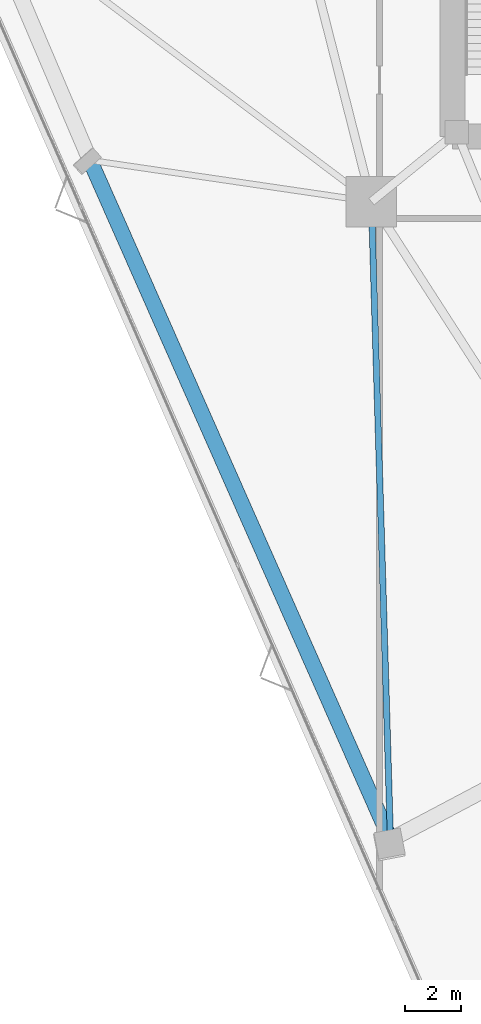
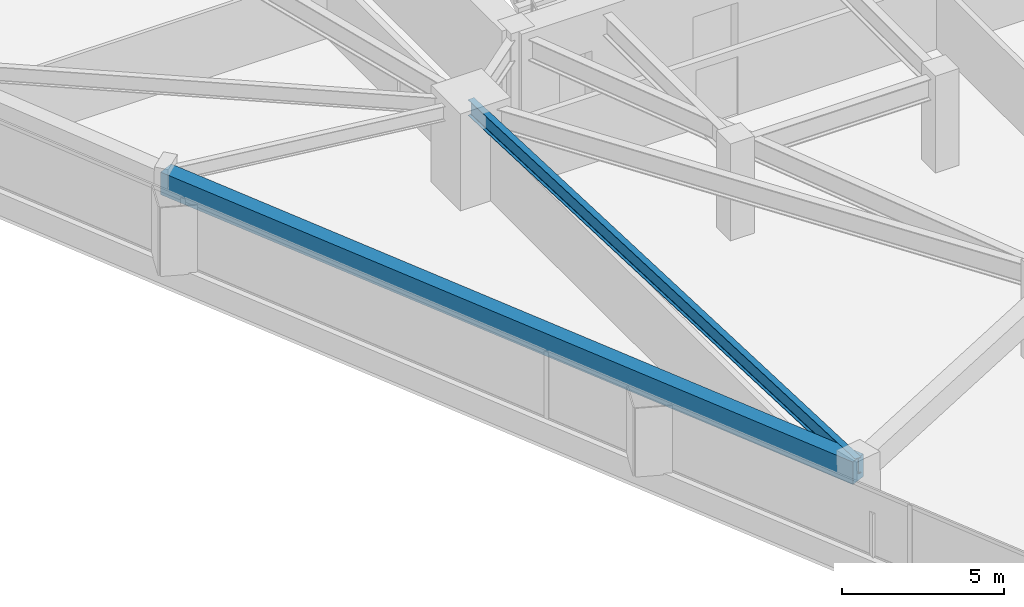
# One storey, part 3 of 21: 2 beams.
"""IFC4 building model written with IfcOpenShell, lengths in metres."""

from ifc_helpers import new_model, si_unit, direction, frame, origin, origin_2d, place, context, subcontext, project, spatial, rectangle, i_section, extrude, material, material_profile, profile_set, type_object, element, save


model = new_model("IFC4")

# Units and contexts
model_context = context("Model", 3, precision=1e-05, world=origin(), true_north=direction((0.0, 1.0)))
body_context = subcontext(model_context, "Body", "Model", "MODEL_VIEW")
ifc_project = project(units=[si_unit("LENGTHUNIT", "METRE"), si_unit("AREAUNIT", "SQUARE_METRE"), si_unit("VOLUMEUNIT", "CUBIC_METRE"), si_unit("PLANEANGLEUNIT", "RADIAN"), si_unit("MASSUNIT", "GRAM", prefix="KILO")], contexts=[model_context])

# Site, building, storey
site_placement = place(None, origin())
site = spatial("IfcSite", under=ifc_project, at=site_placement, CompositionType="ELEMENT")
building_placement = place(site_placement, origin())
building = spatial("IfcBuilding", under=site, at=building_placement, Name="Talyreon Biosciences Tower", CompositionType="ELEMENT")
storey_placement = place(building_placement, frame((0.0, 0.0, 55.64990234375)))
storey = spatial("IfcBuildingStorey", under=building, at=storey_placement, Name="L14", CompositionType="ELEMENT", Elevation=55.64990234375)

# Beams
ifc_material_1 = material(Name="Precast concrete C45/55", Category="concrete")
ifc_material_profile_1 = material_profile(ifc_material_1, rectangle(XDim=0.550048828125, YDim=0.85009765625, at=origin_2d()), Name="RCB 550x850")
ifc_profile_set_1 = profile_set([ifc_material_profile_1], Name="Precast concrete C45/55")
beam_type_1 = type_object("IfcBeamType", Name="ExpressedSpandrel_550x850", PredefinedType="SPANDREL", material=ifc_profile_set_1)
beam_1_placement = place(storey_placement, frame((44.890625, 60.35400390625, 2.9501953125), z_axis=(0.404429572455, -0.914569144966, 0.0), x_axis=(0.914569144966, 0.404429572455, 0.0)))
element("IfcBeam", 1, at=beam_1_placement, inside=storey, type_object=beam_type_1, Name="L14 Expressed Horizontal Concrete Spandrel 11", PredefinedType="SPANDREL", context=body_context, shape_type="SweptSolid", body=[
    extrude(rectangle(XDim=0.550048828125, YDim=0.85009765625, at=origin_2d()), origin(), (0.0, 0.0, 1.0), 26.455810546875),
])
ifc_material_2 = material(Name="Steel SM355", Category="steel")
ifc_material_profile_2 = material_profile(ifc_material_2, i_section(OverallWidth=0.219970703125, OverallDepth=0.60009765625, WebThickness=0.011962890625, FlangeThickness=0.01904296875, FilletRadius=0.02392578125, at=origin_2d()), Name="IPE600")
ifc_profile_set_2 = profile_set([ifc_material_profile_2], Name="Steel SM355")
beam_type_2 = type_object("IfcBeamType", Name="SteelJoist_IPE600", PredefinedType="JOIST", material=ifc_profile_set_2)
beam_2_placement = place(storey_placement, frame((54.913818359375, 58.88037109375, 3.0751953125), z_axis=(0.029749690473, -0.999557380002, 0.0), x_axis=(0.999557380002, 0.029749690473, 0.0)))
element("IfcBeam", 2, at=beam_2_placement, inside=storey, type_object=beam_type_2, Name="L14 Radial Composite Floor Joist PC-SW2", PredefinedType="JOIST", context=body_context, shape_type="SweptSolid", body=[
    extrude(i_section(OverallWidth=0.219970703125, OverallDepth=0.60009765625, WebThickness=0.011962890625, FlangeThickness=0.01904296875, FilletRadius=0.02392578125, at=origin_2d()), origin(), (0.0, 0.0, 1.0), 22.73193359375),
])

save(model, "model.ifc")
